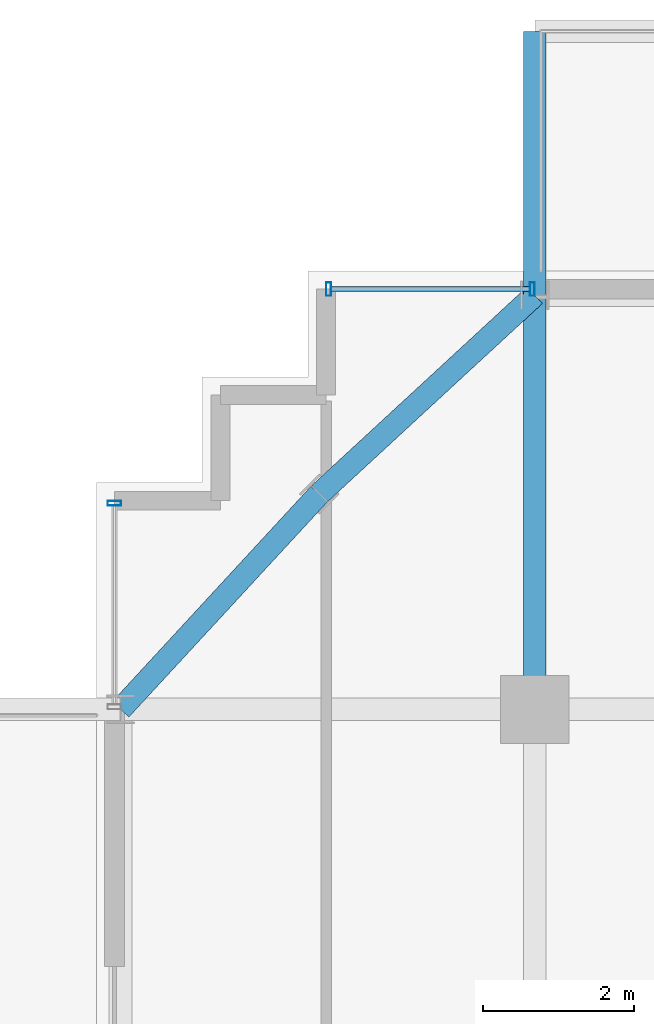
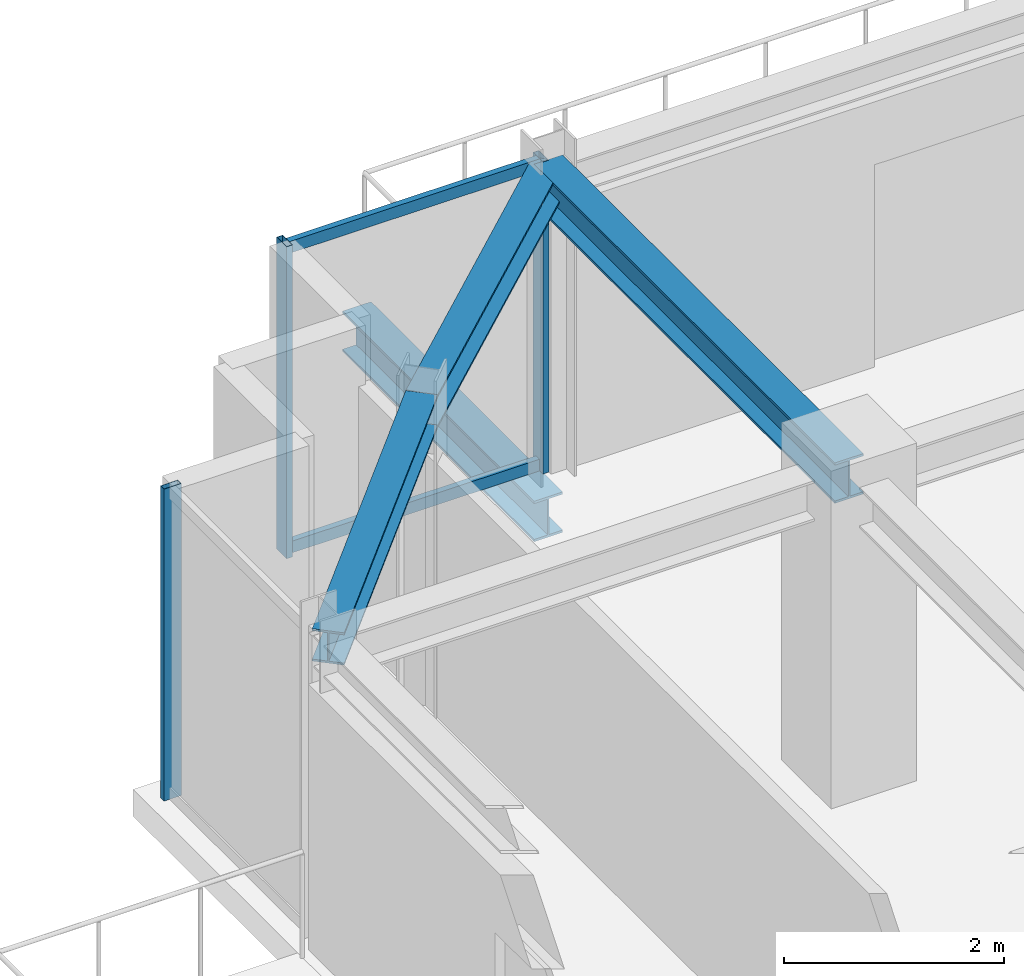
# One storey, part 19 of 34: 5 members, 4 beams, 2 elements without a shape of their own.
"""IFC4 building model written with IfcOpenShell, lengths in metres."""

from ifc_helpers import new_model, si_unit, direction, frame, origin, origin_2d, place, context, subcontext, project, spatial, hollow_rectangle, i_section, extrude, source, transform, mapped, material, material_profile, profile_set, type_object, element, aggregate, save


model = new_model("IFC4")

# Units and contexts
model_context = context("Model", 3, precision=1e-05, world=origin(), true_north=direction((0.0, 1.0)))
body_context = subcontext(model_context, "Body", "Model", "MODEL_VIEW")
ifc_project = project(units=[si_unit("LENGTHUNIT", "METRE"), si_unit("AREAUNIT", "SQUARE_METRE"), si_unit("VOLUMEUNIT", "CUBIC_METRE"), si_unit("PLANEANGLEUNIT", "RADIAN"), si_unit("MASSUNIT", "GRAM", prefix="KILO")], contexts=[model_context])

# Site, building, storey
site_placement = place(None, origin())
site = spatial("IfcSite", under=ifc_project, at=site_placement, CompositionType="ELEMENT")
building_placement = place(site_placement, origin())
building = spatial("IfcBuilding", under=site, at=building_placement, Name="Nahalor Promenade Grand Hotel", CompositionType="ELEMENT")
storey_placement = place(building_placement, frame((0.0, 0.0, 334.75)))
storey = spatial("IfcBuildingStorey", under=building, at=storey_placement, Name="L86", CompositionType="ELEMENT", Elevation=334.75)

# Beams
ifc_material_1 = material(Name="Steel S355JR", Category="steel")
ifc_material_profile_1 = material_profile(ifc_material_1, i_section(OverallWidth=0.3, OverallDepth=0.45, WebThickness=0.014, FlangeThickness=0.026, at=origin_2d()), Name="HEB 450")
ifc_profile_set_1 = profile_set([ifc_material_profile_1], Name="Steel S355JR")
beam_type_1 = type_object("IfcBeamType", Name="Beam-Outrigger-HEB450", PredefinedType="BEAM", material=ifc_profile_set_1)
shared_shape_1 = source(origin(), body_context, "Body", "SweptSolid", [
    extrude(i_section(OverallWidth=0.3, OverallDepth=0.45, WebThickness=0.014, FlangeThickness=0.026, at=origin_2d()), origin(), (0.0, 0.0, 1.0), 3.489990234375),
])
beam_1_placement = place(storey_placement, frame((-17.0, 22.47998046875, -0.5048828125), z_axis=(0.0, 1.0, 0.0), x_axis=(-1.0, 0.0, 0.0)))
element("IfcBeam", 1, at=beam_1_placement, inside=storey, type_object=beam_type_1, Name="BM-L86-BC-01-1", PredefinedType="BEAM", context=body_context, shape_type="MappedRepresentation", body=[
    mapped(shared_shape_1, transform((0.0, 0.0, 0.0), scale=1.0)),
])
ifc_material_profile_2 = material_profile(ifc_material_1, i_section(OverallWidth=0.3, OverallDepth=0.45, WebThickness=0.014, FlangeThickness=0.026, at=origin_2d()), Name="HEB 450")
ifc_profile_set_2 = profile_set([ifc_material_profile_2], Name="Steel S355JR")
beam_type_2 = type_object("IfcBeamType", Name="Beam-Girder-HEB450", PredefinedType="BEAM", material=ifc_profile_set_2)
shared_shape_2 = source(origin(), body_context, "Body", "SweptSolid", [
    extrude(i_section(OverallWidth=0.3, OverallDepth=0.45, WebThickness=0.014, FlangeThickness=0.026, at=origin_2d()), origin(), (0.0, 0.0, 1.0), 5.47998046875),
])
beam_2_placement = place(storey_placement, frame((-17.0, 17.0, 3.2451171875), z_axis=(0.0, 1.0, 0.0), x_axis=(-1.0, 0.0, 0.0)))
element("IfcBeam", 2, at=beam_2_placement, inside=storey, type_object=beam_type_2, Name="BM-L86-GY-0-4", PredefinedType="BEAM", context=body_context, shape_type="MappedRepresentation", body=[
    mapped(shared_shape_2, transform((0.0, 0.0, 0.0), scale=1.0)),
])
ifc_material_profile_3 = material_profile(ifc_material_1, i_section(OverallWidth=0.3, OverallDepth=0.36, WebThickness=0.0125, FlangeThickness=0.0225, at=origin_2d()), Name="HEB 360")
ifc_profile_set_3 = profile_set([ifc_material_profile_3], Name="Steel S355JR")
beam_type_3 = type_object("IfcBeamType", Name="Beam-Spandrel-HEB360", PredefinedType="SPANDREL", material=ifc_profile_set_3)
shared_shape_3 = source(origin(), body_context, "Body", "SweptSolid", [
    extrude(i_section(OverallWidth=0.3, OverallDepth=0.36, WebThickness=0.0125, FlangeThickness=0.0225, at=origin_2d()), origin(), (0.0, 0.0, 1.0), 3.878173828125),
])
for number, where, z_axis, x_axis, name in (
    (3, (-17.0, 22.47998046875, 3.2900390625), (-0.73492893846, -0.678144125843, 0.0), (0.678144125843, -0.73492893846, 0.0), "BM-L86-SPC-NW-1"),
    (4, (-19.85009765625, 19.85009765625, 3.2900390625), (-0.678144125843, -0.73492893846, 0.0), (0.73492893846, -0.678144125843, 0.0), "BM-L86-SPC-NW-2"),
):
    element("IfcBeam", number, at=place(storey_placement, frame(where, z_axis=z_axis, x_axis=x_axis)), inside=storey, type_object=beam_type_3, Name=name, PredefinedType="SPANDREL", context=body_context, shape_type="MappedRepresentation", body=[
        mapped(shared_shape_3, transform((0.0, 0.0, 0.0), scale=1.0)),
    ])

# Curtain wall, members
ifc_material_2 = material(Name="Anodised Bronze Aluminium EN AW-6063 T6", Category="aluminium")
curtain_wall_type = type_object("IfcCurtainWallType", Name="CW2 Typical Hotel Flush Bronze Unitised Curtain Wall", PredefinedType="USERDEFINED", material=ifc_material_2)
curtain_wall_1_placement = place(storey_placement, origin())
curtain_wall_1 = element("IfcCurtainWall", 5, at=curtain_wall_1_placement, inside=storey, type_object=curtain_wall_type, Name="L86 Curtain Wall CW-L86-N-1", ObjectType="UNITISED_CURTAIN_WALL", PredefinedType="USERDEFINED")
ifc_material_profile_4 = material_profile(ifc_material_2, hollow_rectangle(XDim=0.065, YDim=0.13, WallThickness=0.004, at=origin_2d()), Name="CWT 65x130x4")
ifc_profile_set_4 = profile_set([ifc_material_profile_4], Name="Anodised Bronze Aluminium EN AW-6063 T6")
member_type_1 = type_object("IfcMemberType", Name="CWT2 Typical Bronze Transom 65x130", PredefinedType="USERDEFINED", material=ifc_profile_set_4)
shared_shape_4 = source(origin(), body_context, "Body", "SweptSolid", [
    extrude(hollow_rectangle(XDim=0.065, YDim=0.13, WallThickness=0.004, at=origin_2d()), origin(), (0.0, 0.0, 1.0), 2.630126953125),
])
member_1_placement = place(storey_placement, frame((-19.695068359375, 22.56005859375, 0.06494140625), z_axis=(1.0, 0.0, 0.0), x_axis=(0.0, 1.0, 0.0)))
member_1 = element("IfcMember", 6, at=member_1_placement, type_object=member_type_1, Name="CW-L86-N-1 Transom 0-0", ObjectType="TRANSOM", PredefinedType="USERDEFINED", context=body_context, shape_type="MappedRepresentation", body=[
    mapped(shared_shape_4, transform((0.0, 0.0, 0.0), scale=1.0)),
])
member_2_placement = place(storey_placement, frame((-19.695068359375, 22.56005859375, 3.405029296875), z_axis=(1.0, 0.0, 0.0), x_axis=(0.0, 1.0, 0.0)))
member_2 = element("IfcMember", 7, at=member_2_placement, type_object=member_type_1, Name="CW-L86-N-1 Transom 0-1", ObjectType="TRANSOM", PredefinedType="USERDEFINED", context=body_context, shape_type="MappedRepresentation", body=[
    mapped(shared_shape_4, transform((0.0, 0.0, 0.0), scale=1.0)),
])
ifc_material_profile_5 = material_profile(ifc_material_2, hollow_rectangle(XDim=0.065, YDim=0.18, WallThickness=0.004, at=origin_2d()), Name="CWM 65x180x4")
ifc_profile_set_5 = profile_set([ifc_material_profile_5], Name="Anodised Bronze Aluminium EN AW-6063 T6")
member_type_2 = type_object("IfcMemberType", Name="CWM2 Typical Bronze Mullion 65x180", PredefinedType="MULLION", material=ifc_profile_set_5)
shared_shape_5 = source(origin(), body_context, "Body", "SweptSolid", [
    extrude(hollow_rectangle(XDim=0.065, YDim=0.18, WallThickness=0.004, at=origin_2d()), origin(), (0.0, 0.0, 1.0), 3.469970703125),
])
member_3_placement = place(storey_placement, frame((-19.7275390625, 22.56005859375, 0.0), z_axis=(0.0, 0.0, 1.0), x_axis=(1.0, 0.0, 0.0)))
member_3 = element("IfcMember", 8, at=member_3_placement, type_object=member_type_2, Name="CW-L86-N-1 Mullion 0", PredefinedType="MULLION", context=body_context, shape_type="MappedRepresentation", body=[
    mapped(shared_shape_5, transform((0.0, 0.0, 0.0), scale=1.0)),
])
member_4_placement = place(storey_placement, frame((-17.032470703125, 22.56005859375, 0.0), z_axis=(0.0, 0.0, 1.0), x_axis=(1.0, 0.0, 0.0)))
member_4 = element("IfcMember", 9, at=member_4_placement, type_object=member_type_2, Name="CW-L86-N-1 Mullion 1", PredefinedType="MULLION", context=body_context, shape_type="MappedRepresentation", body=[
    mapped(shared_shape_5, transform((0.0, 0.0, 0.0), scale=1.0)),
])
aggregate(curtain_wall_1, [member_3, member_4, member_1, member_2])

# Curtain wall, member
curtain_wall_2_placement = place(storey_placement, origin())
curtain_wall_2 = element("IfcCurtainWall", 10, at=curtain_wall_2_placement, inside=storey, type_object=curtain_wall_type, Name="L86 Curtain Wall CW-L86-W-3", ObjectType="UNITISED_CURTAIN_WALL", PredefinedType="USERDEFINED")
member_5_placement = place(storey_placement, frame((-22.56005859375, 19.7275390625, 0.0), z_axis=(0.0, 0.0, 1.0), x_axis=(0.0, 1.0, 0.0)))
member_5 = element("IfcMember", 11, at=member_5_placement, type_object=member_type_2, Name="CW-L86-W-3 Mullion 1", PredefinedType="MULLION", context=body_context, shape_type="MappedRepresentation", body=[
    mapped(shared_shape_5, transform((0.0, 0.0, 0.0), scale=1.0)),
])
aggregate(curtain_wall_2, [member_5])

save(model, "model.ifc")
